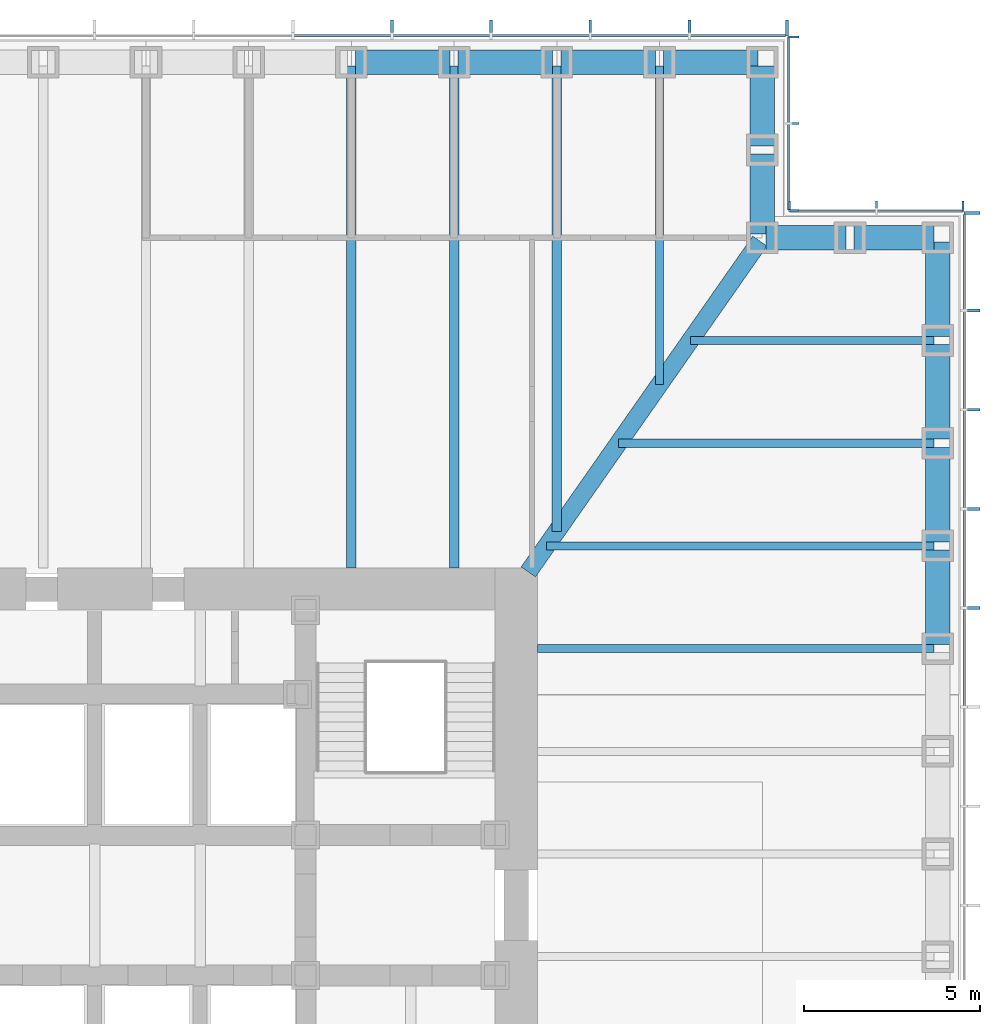
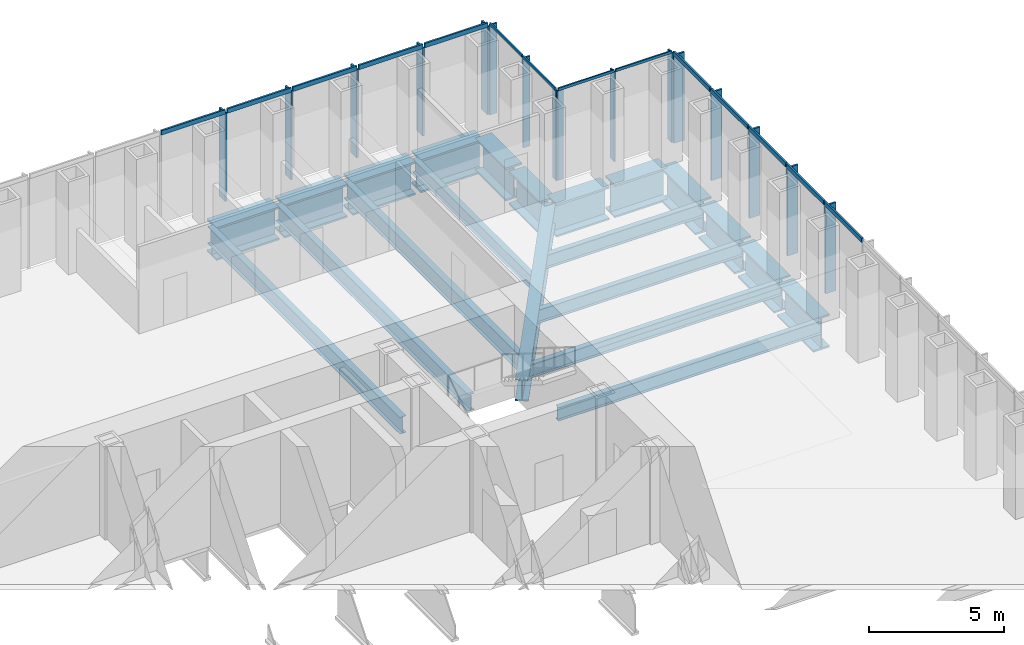
# One storey, part 6 of 17: 30 members, 21 beams, 4 elements without a shape of their own.
"""IFC4 building model written with IfcOpenShell, lengths in metres."""

import ifcopenshell
import ifcopenshell.guid

model = None  # the IFC model being written
_history = None  # IfcOwnerHistory: only IFC2X3 demands one
_inside = {}  # id of a spatial element -> (the spatial element, [elements in it])
_under = {}  # id of a project, library or spatial element -> (it, [spatial elements below it])
_declared = {}  # id of a project -> (the project, [libraries it declares])
_typed = {}  # id of a type object -> (the type object, [elements of that type])
_made_of = {}  # id of a material, layer set ... -> (it, [elements and type objects made of it])


def new_model(schema):
    """Start an empty IFC model of exactly this schema.

    Asked for "IFC4X3", IfcOpenShell would pick the latest addendum, in which some entities
    have other attributes; the version numbers below select the first issue.
    IFC2X3 requires an IfcOwnerHistory on every rooted entity: one is made here for all.
    """
    global model, _history
    if schema == "IFC4X3":
        model = ifcopenshell.file(schema_version=(4, 3, 0, 0))
    else:
        model = ifcopenshell.file(schema=schema)
    _inside.clear()
    _under.clear()
    _declared.clear()
    _typed.clear()
    _made_of.clear()
    _history = None
    if model.schema == "IFC2X3":
        org = make("IfcOrganization", Name="unknown")
        user = make(
            "IfcPersonAndOrganization",
            ThePerson=make("IfcPerson", FamilyName="unknown"),
            TheOrganization=org,
        )
        app = make(
            "IfcApplication",
            ApplicationDeveloper=org,
            Version="unknown",
            ApplicationFullName="unknown",
            ApplicationIdentifier="unknown",
        )
        _history = make(
            "IfcOwnerHistory",
            OwningUser=user,
            OwningApplication=app,
            ChangeAction="ADDED",
            CreationDate=0,
        )
    return model


def make(cls, **values):
    """One entity of the class cls with the attributes given. An attribute that is None is left unset."""
    return model.create_entity(
        cls, **{name: value for name, value in values.items() if value is not None}
    )


def rooted(cls, **values):
    """An entity with a GlobalId (a new one), such as an element, a storey or a relation."""
    return make(cls, GlobalId=ifcopenshell.guid.new(), OwnerHistory=_history, **values)


def si_unit(unit_type, name, prefix=None):
    """IfcSIUnit, for example si_unit("LENGTHUNIT", "METRE", prefix="MILLI")."""
    return make("IfcSIUnit", UnitType=unit_type, Prefix=prefix, Name=name)


def assignment(units):
    """IfcUnitAssignment: the units of a project."""
    return None if units is None else make("IfcUnitAssignment", Units=units)


def point(xyz):
    """IfcCartesianPoint."""
    return None if xyz is None else make("IfcCartesianPoint", Coordinates=xyz)


def direction(xyz):
    """IfcDirection."""
    return None if xyz is None else make("IfcDirection", DirectionRatios=xyz)


def frame(location, z_axis=None, x_axis=None):
    """IfcAxis2Placement3D, a coordinate frame: its origin and axes. An axis left out is left unset."""
    return make(
        "IfcAxis2Placement3D",
        Location=point(location),
        Axis=direction(z_axis),
        RefDirection=direction(x_axis),
    )


def frame_2d(location, x_axis=None):
    """IfcAxis2Placement2D, a coordinate frame in the plane: its origin and x axis."""
    return make(
        "IfcAxis2Placement2D", Location=point(location), RefDirection=direction(x_axis)
    )


def origin():
    """The frame at (0, 0, 0) with its axes left unset."""
    return frame((0.0, 0.0, 0.0))


def origin_2d():
    """The frame at (0, 0) in the plane with its x axis left unset."""
    return frame_2d((0.0, 0.0))


def place(relative_to, where):
    """IfcLocalPlacement: puts the frame where relative to a parent placement (None: the world)."""
    return make(
        "IfcLocalPlacement", PlacementRelTo=relative_to, RelativePlacement=where
    )


def context(
    kind, dimensions, precision=None, world=None, true_north=None, identifier=None
):
    """IfcGeometricRepresentationContext, for example the 3D "Model" context."""
    return make(
        "IfcGeometricRepresentationContext",
        ContextIdentifier=identifier,
        ContextType=kind,
        CoordinateSpaceDimension=dimensions,
        Precision=precision,
        WorldCoordinateSystem=world,
        TrueNorth=true_north,
    )


def subcontext(parent, identifier, kind, view, scale=None):
    """IfcGeometricRepresentationSubContext, for example "Body" below "Model"."""
    return make(
        "IfcGeometricRepresentationSubContext",
        ContextIdentifier=identifier,
        ContextType=kind,
        ParentContext=parent,
        TargetScale=scale,
        TargetView=view,
    )


def project(units=None, contexts=None):
    """IfcProject with its units and contexts."""
    return rooted(
        "IfcProject",
        Name="project",
        RepresentationContexts=contexts,
        UnitsInContext=assignment(units),
    )


def spatial(cls, under=None, at=None, **own):
    """A site, building, storey or space (cls), placed at a placement, below another one or the project."""
    s = rooted(cls, ObjectPlacement=at, **own)
    if under is not None:
        _under.setdefault(under.id(), (under, []))[1].append(s)
    return s


def profile(cls, at=None, kind="AREA", **sizes):
    """A parametric profile (cls). Its sizes go by their IFC names, for example OverallWidth=200.0."""
    return make(cls, ProfileType=kind, Position=at, **sizes)


def rectangle(**sizes):
    """IfcRectangleProfileDef."""
    return profile("IfcRectangleProfileDef", **sizes)


def i_section(**sizes):
    """IfcIShapeProfileDef."""
    return profile("IfcIShapeProfileDef", **sizes)


def extrude(swept, where, along, depth):
    """IfcExtrudedAreaSolid: the profile swept, set in the frame where, extruded along a direction by depth."""
    return make(
        "IfcExtrudedAreaSolid",
        SweptArea=swept,
        Position=where,
        ExtrudedDirection=direction(along),
        Depth=depth,
    )


def shape(context_of_items, identifier, shape_type, items):
    """IfcShapeRepresentation: the items that make up one representation, for example the "Body"."""
    return make(
        "IfcShapeRepresentation",
        ContextOfItems=context_of_items,
        RepresentationIdentifier=identifier,
        RepresentationType=shape_type,
        Items=items,
    )


def material(Name=None, Category=None):
    """IfcMaterial."""
    return make("IfcMaterial", Name=Name, Category=Category)


def material_profile(
    of_material, cross_section, Name=None, Category=None, Priority=None
):
    """IfcMaterialProfile: a cross section and its material."""
    return make(
        "IfcMaterialProfile",
        Name=Name,
        Material=of_material,
        Profile=cross_section,
        Priority=Priority,
        Category=Category,
    )


def profile_set(profiles, Name=None, composite=None):
    """IfcMaterialProfileSet."""
    return make(
        "IfcMaterialProfileSet",
        Name=Name,
        MaterialProfiles=profiles,
        CompositeProfile=composite,
    )


def made_of(thing, what):
    """Note that an element or type object is made of a material, layer set ...; save() writes the relation."""
    if what is not None:
        _made_of.setdefault(what.id(), (what, []))[1].append(thing)
    return thing


def type_object(cls, material=None, **own):
    """A type object (cls), such as IfcWallType, which elements share."""
    return made_of(rooted(cls, **own), material)


def element(
    cls,
    number,
    at=None,
    inside=None,
    cuts=None,
    type_object=None,
    material=None,
    context=None,
    identifier="Body",
    shape_type=None,
    held_by="IfcProductDefinitionShape",
    body=None,
    shapes=None,
    **own,
):
    """One element of the class cls, such as IfcWall. Its Tag is "e" and its number.

    at: its placement. inside: the storey or other place that contains it. cuts: it is an
    opening in that element (IfcRelVoidsElement). A single representation is given by context,
    identifier, shape_type and body (its items); several are given by shapes. held_by: the class
    of the entity that holds the representations. save() writes the other relations.
    """
    e = rooted(cls, Tag="e%d" % number, ObjectPlacement=at, **own)
    if body is not None:
        shapes = [shape(context, identifier, shape_type, body)]
    if shapes is not None:
        e.Representation = make(held_by, Representations=shapes)
    if inside is not None:
        _inside.setdefault(inside.id(), (inside, []))[1].append(e)
    if cuts is not None:
        rooted(
            "IfcRelVoidsElement", RelatingBuildingElement=cuts, RelatedOpeningElement=e
        )
    if type_object is not None:
        _typed.setdefault(type_object.id(), (type_object, []))[1].append(e)
    return made_of(e, material)


def aggregate(whole, parts):
    """IfcRelAggregates: a whole, such as a stair, and the parts it consists of."""
    return rooted("IfcRelAggregates", RelatingObject=whole, RelatedObjects=parts)


def save(model, path):
    """Write the relations noted so far, then the file.

    IfcRelAggregates (storeys below a building ...), IfcRelContainedInSpatialStructure (elements
    in a storey), IfcRelDefinesByType, IfcRelAssociatesMaterial and IfcRelDeclares: one each for
    every whole, place, type object, material and project.
    """
    for whole, parts in _under.values():
        aggregate(whole, parts)
    for where, things in _inside.values():
        rooted(
            "IfcRelContainedInSpatialStructure",
            RelatedElements=things,
            RelatingStructure=where,
        )
    for kind, things in _typed.values():
        rooted("IfcRelDefinesByType", RelatedObjects=things, RelatingType=kind)
    for what, things in _made_of.values():
        rooted("IfcRelAssociatesMaterial", RelatedObjects=things, RelatingMaterial=what)
    for by, libraries in _declared.values():
        rooted("IfcRelDeclares", RelatingContext=by, RelatedDefinitions=libraries)
    model.write(path)


model = new_model("IFC4")

# Units and contexts
model_context = context("Model", 3, precision=1e-05, world=origin(), true_north=direction((0.0, 1.0)))
body_context = subcontext(model_context, "Body", "Model", "MODEL_VIEW")
ifc_project = project(units=[si_unit("LENGTHUNIT", "METRE"), si_unit("AREAUNIT", "SQUARE_METRE"), si_unit("VOLUMEUNIT", "CUBIC_METRE"), si_unit("PLANEANGLEUNIT", "RADIAN"), si_unit("MASSUNIT", "GRAM", prefix="KILO")], contexts=[model_context])

# Site, building, storey
site_placement = place(None, origin())
site = spatial("IfcSite", under=ifc_project, at=site_placement, CompositionType="ELEMENT")
building_placement = place(site_placement, origin())
building = spatial("IfcBuilding", under=site, at=building_placement, Name="Daluyong Arena Tower", CompositionType="ELEMENT")
storey_placement = place(building_placement, frame((0.0, 0.0, 97.89990234375)))
storey = spatial("IfcBuildingStorey", under=building, at=storey_placement, Name="L21", CompositionType="ELEMENT", Elevation=97.89990234375)

# Curtain wall, members
ifc_material_1 = material(Name="Bronze anodised aluminium and glass", Category="aluminium")
curtain_wall_type_1 = type_object("IfcCurtainWallType", Name="Curtain wall CW1", PredefinedType="USERDEFINED", material=ifc_material_1)
curtain_wall_1_placement = place(storey_placement, origin())
curtain_wall_1 = element("IfcCurtainWall", 1, at=curtain_wall_1_placement, inside=storey, type_object=curtain_wall_type_1, Name="curtain wall L21 E", ObjectType="UNITISED CURTAIN WALL", PredefinedType="USERDEFINED")
ifc_material_2 = material(Name="Bronze anodised aluminium fin", Category="aluminium")
ifc_material_profile_1 = material_profile(ifc_material_2, rectangle(XDim=0.449951171875, YDim=0.080078125, at=origin_2d()))
ifc_profile_set_1 = profile_set([ifc_material_profile_1], Name="Bronze anodised aluminium fin")
member_type_1 = type_object("IfcMemberType", Name="CW1 bronze fin 450x80", PredefinedType="MULLION", material=ifc_profile_set_1)
member_1_placement = place(storey_placement, frame((80.97509765625, 88.46435546875, 0.0), z_axis=(0.0, 0.0, 1.0), x_axis=(-1.0, 0.0, 0.0)))
member_1 = element("IfcMember", 2, at=member_1_placement, type_object=member_type_1, Name="curtain wall L21 E fin 11", PredefinedType="MULLION", context=body_context, shape_type="SweptSolid", body=[
    extrude(rectangle(XDim=0.449951171875, YDim=0.080078125, at=origin_2d()), origin(), (0.0, 0.0, 1.0), 4.0),
])
member_2_placement = place(storey_placement, frame((80.97509765625, 91.28564453125, 0.0), z_axis=(0.0, 0.0, 1.0), x_axis=(-1.0, 0.0, 0.0)))
member_2 = element("IfcMember", 3, at=member_2_placement, type_object=member_type_1, Name="curtain wall L21 E fin 12", PredefinedType="MULLION", context=body_context, shape_type="SweptSolid", body=[
    extrude(rectangle(XDim=0.449951171875, YDim=0.080078125, at=origin_2d()), origin(), (0.0, 0.0, 1.0), 4.0),
])
member_3_placement = place(storey_placement, frame((80.97509765625, 94.107177734375, 0.0), z_axis=(0.0, 0.0, 1.0), x_axis=(-1.0, 0.0, 0.0)))
member_3 = element("IfcMember", 4, at=member_3_placement, type_object=member_type_1, Name="curtain wall L21 E fin 13", PredefinedType="MULLION", context=body_context, shape_type="SweptSolid", body=[
    extrude(rectangle(XDim=0.449951171875, YDim=0.080078125, at=origin_2d()), origin(), (0.0, 0.0, 1.0), 4.0),
])
member_4_placement = place(storey_placement, frame((80.97509765625, 96.928466796875, 0.0), z_axis=(0.0, 0.0, 1.0), x_axis=(-1.0, 0.0, 0.0)))
member_4 = element("IfcMember", 5, at=member_4_placement, type_object=member_type_1, Name="curtain wall L21 E fin 14", PredefinedType="MULLION", context=body_context, shape_type="SweptSolid", body=[
    extrude(rectangle(XDim=0.449951171875, YDim=0.080078125, at=origin_2d()), origin(), (0.0, 0.0, 1.0), 4.0),
])
member_5_placement = place(storey_placement, frame((80.97509765625, 99.7099609375, 0.0), z_axis=(0.0, 0.0, 1.0), x_axis=(-1.0, 0.0, 0.0)))
member_5 = element("IfcMember", 6, at=member_5_placement, type_object=member_type_1, Name="curtain wall L21 E fin 15", PredefinedType="MULLION", context=body_context, shape_type="SweptSolid", body=[
    extrude(rectangle(XDim=0.449951171875, YDim=0.080078125, at=origin_2d()), origin(), (0.0, 0.0, 1.0), 4.0),
])

curtain_wall_2_placement = place(storey_placement, origin())
curtain_wall_2 = element("IfcCurtainWall", 7, at=curtain_wall_2_placement, inside=storey, type_object=curtain_wall_type_1, Name="curtain wall L21 N", ObjectType="UNITISED CURTAIN WALL", PredefinedType="USERDEFINED")
member_6_placement = place(storey_placement, frame((75.7099609375, 104.97509765625, 0.0), z_axis=(0.0, 0.0, 1.0), x_axis=(0.0, -1.0, 0.0)))
member_6 = element("IfcMember", 8, at=member_6_placement, type_object=member_type_1, Name="curtain wall L21 N fin 1", PredefinedType="MULLION", context=body_context, shape_type="SweptSolid", body=[
    extrude(rectangle(XDim=0.449951171875, YDim=0.080078125, at=origin_2d()), origin(), (0.0, 0.0, 1.0), 4.0),
])
member_7_placement = place(storey_placement, frame((72.928466796875, 104.97509765625, 0.0), z_axis=(0.0, 0.0, 1.0), x_axis=(0.0, -1.0, 0.0)))
member_7 = element("IfcMember", 9, at=member_7_placement, type_object=member_type_1, Name="curtain wall L21 N fin 2", PredefinedType="MULLION", context=body_context, shape_type="SweptSolid", body=[
    extrude(rectangle(XDim=0.449951171875, YDim=0.080078125, at=origin_2d()), origin(), (0.0, 0.0, 1.0), 4.0),
])
member_8_placement = place(storey_placement, frame((70.107177734375, 104.97509765625, 0.0), z_axis=(0.0, 0.0, 1.0), x_axis=(0.0, -1.0, 0.0)))
member_8 = element("IfcMember", 10, at=member_8_placement, type_object=member_type_1, Name="curtain wall L21 N fin 3", PredefinedType="MULLION", context=body_context, shape_type="SweptSolid", body=[
    extrude(rectangle(XDim=0.449951171875, YDim=0.080078125, at=origin_2d()), origin(), (0.0, 0.0, 1.0), 4.0),
])
member_9_placement = place(storey_placement, frame((67.28564453125, 104.97509765625, 0.0), z_axis=(0.0, 0.0, 1.0), x_axis=(0.0, -1.0, 0.0)))
member_9 = element("IfcMember", 11, at=member_9_placement, type_object=member_type_1, Name="curtain wall L21 N fin 4", PredefinedType="MULLION", context=body_context, shape_type="SweptSolid", body=[
    extrude(rectangle(XDim=0.449951171875, YDim=0.080078125, at=origin_2d()), origin(), (0.0, 0.0, 1.0), 4.0),
])
member_10_placement = place(storey_placement, frame((64.46435546875, 104.97509765625, 0.0), z_axis=(0.0, 0.0, 1.0), x_axis=(0.0, -1.0, 0.0)))
member_10 = element("IfcMember", 12, at=member_10_placement, type_object=member_type_1, Name="curtain wall L21 N fin 5", PredefinedType="MULLION", context=body_context, shape_type="SweptSolid", body=[
    extrude(rectangle(XDim=0.449951171875, YDim=0.080078125, at=origin_2d()), origin(), (0.0, 0.0, 1.0), 4.0),
])

# Member
ifc_material_3 = material(Name="Bronze anodised aluminium", Category="aluminium")
ifc_material_profile_2 = material_profile(ifc_material_3, rectangle(XDim=0.080078125, YDim=0.199951171875, at=origin_2d()))
ifc_profile_set_2 = profile_set([ifc_material_profile_2], Name="Bronze anodised aluminium")
member_type_2 = type_object("IfcMemberType", Name="CW1 stack transom 200x80", PredefinedType="USERDEFINED", material=ifc_profile_set_2)
member_11_placement = place(storey_placement, frame((80.75, 85.682861328125, 4.10009765625), z_axis=(0.0, 1.0, 0.0), x_axis=(-1.0, 0.0, 0.0)))
member_11 = element("IfcMember", 13, at=member_11_placement, type_object=member_type_2, Name="curtain wall L21 E transom 10", ObjectType="TRANSOM", PredefinedType="USERDEFINED", context=body_context, shape_type="SweptSolid", body=[
    extrude(rectangle(XDim=0.080078125, YDim=0.199951171875, at=origin_2d()), origin(), (0.0, 0.0, 1.0), 2.741455078125),
])

member_12_placement = place(storey_placement, frame((80.75, 88.50439453125, 4.10009765625), z_axis=(0.0, 1.0, 0.0), x_axis=(-1.0, 0.0, 0.0)))
member_12 = element("IfcMember", 14, at=member_12_placement, type_object=member_type_2, Name="curtain wall L21 E transom 11", ObjectType="TRANSOM", PredefinedType="USERDEFINED", context=body_context, shape_type="SweptSolid", body=[
    extrude(rectangle(XDim=0.080078125, YDim=0.199951171875, at=origin_2d()), origin(), (0.0, 0.0, 1.0), 2.7412109375),
])

member_13_placement = place(storey_placement, frame((80.75, 91.32568359375, 4.10009765625), z_axis=(0.0, 1.0, 0.0), x_axis=(-1.0, 0.0, 0.0)))
member_13 = element("IfcMember", 15, at=member_13_placement, type_object=member_type_2, Name="curtain wall L21 E transom 12", ObjectType="TRANSOM", PredefinedType="USERDEFINED", context=body_context, shape_type="SweptSolid", body=[
    extrude(rectangle(XDim=0.080078125, YDim=0.199951171875, at=origin_2d()), origin(), (0.0, 0.0, 1.0), 2.741455078125),
])

member_14_placement = place(storey_placement, frame((80.75, 94.147216796875, 4.10009765625), z_axis=(0.0, 1.0, 0.0), x_axis=(-1.0, 0.0, 0.0)))
member_14 = element("IfcMember", 16, at=member_14_placement, type_object=member_type_2, Name="curtain wall L21 E transom 13", ObjectType="TRANSOM", PredefinedType="USERDEFINED", context=body_context, shape_type="SweptSolid", body=[
    extrude(rectangle(XDim=0.080078125, YDim=0.199951171875, at=origin_2d()), origin(), (0.0, 0.0, 1.0), 2.741455078125),
])

member_15_placement = place(storey_placement, frame((80.75, 96.968505859375, 4.10009765625), z_axis=(0.0, 1.0, 0.0), x_axis=(-1.0, 0.0, 0.0)))
member_15 = element("IfcMember", 17, at=member_15_placement, type_object=member_type_2, Name="curtain wall L21 E transom 14", ObjectType="TRANSOM", PredefinedType="USERDEFINED", context=body_context, shape_type="SweptSolid", body=[
    extrude(rectangle(XDim=0.080078125, YDim=0.199951171875, at=origin_2d()), origin(), (0.0, 0.0, 1.0), 2.701416015625),
])

aggregate(curtain_wall_1, [member_1, member_2, member_3, member_4, member_5, member_11, member_12, member_13, member_14, member_15])

member_16_placement = place(storey_placement, frame((75.669921875, 104.75, 4.10009765625), z_axis=(-1.0, 0.0, 0.0), x_axis=(0.0, -1.0, 0.0)))
member_16 = element("IfcMember", 18, at=member_16_placement, type_object=member_type_2, Name="curtain wall L21 N transom 1", ObjectType="TRANSOM", PredefinedType="USERDEFINED", context=body_context, shape_type="SweptSolid", body=[
    extrude(rectangle(XDim=0.080078125, YDim=0.199951171875, at=origin_2d()), origin(), (0.0, 0.0, 1.0), 2.701416015625),
])

member_17_placement = place(storey_placement, frame((72.888671875, 104.75, 4.10009765625), z_axis=(-1.0, 0.0, 0.0), x_axis=(0.0, -1.0, 0.0)))
member_17 = element("IfcMember", 19, at=member_17_placement, type_object=member_type_2, Name="curtain wall L21 N transom 2", ObjectType="TRANSOM", PredefinedType="USERDEFINED", context=body_context, shape_type="SweptSolid", body=[
    extrude(rectangle(XDim=0.080078125, YDim=0.199951171875, at=origin_2d()), origin(), (0.0, 0.0, 1.0), 2.741455078125),
])

member_18_placement = place(storey_placement, frame((70.067138671875, 104.75, 4.10009765625), z_axis=(-1.0, 0.0, 0.0), x_axis=(0.0, -1.0, 0.0)))
member_18 = element("IfcMember", 20, at=member_18_placement, type_object=member_type_2, Name="curtain wall L21 N transom 3", ObjectType="TRANSOM", PredefinedType="USERDEFINED", context=body_context, shape_type="SweptSolid", body=[
    extrude(rectangle(XDim=0.080078125, YDim=0.199951171875, at=origin_2d()), origin(), (0.0, 0.0, 1.0), 2.741455078125),
])

member_19_placement = place(storey_placement, frame((67.24560546875, 104.75, 4.10009765625), z_axis=(-1.0, 0.0, 0.0), x_axis=(0.0, -1.0, 0.0)))
member_19 = element("IfcMember", 21, at=member_19_placement, type_object=member_type_2, Name="curtain wall L21 N transom 4", ObjectType="TRANSOM", PredefinedType="USERDEFINED", context=body_context, shape_type="SweptSolid", body=[
    extrude(rectangle(XDim=0.080078125, YDim=0.199951171875, at=origin_2d()), origin(), (0.0, 0.0, 1.0), 2.7412109375),
])

member_20_placement = place(storey_placement, frame((64.42431640625, 104.75, 4.10009765625), z_axis=(-1.0, 0.0, 0.0), x_axis=(0.0, -1.0, 0.0)))
member_20 = element("IfcMember", 22, at=member_20_placement, type_object=member_type_2, Name="curtain wall L21 N transom 5", ObjectType="TRANSOM", PredefinedType="USERDEFINED", context=body_context, shape_type="SweptSolid", body=[
    extrude(rectangle(XDim=0.080078125, YDim=0.199951171875, at=origin_2d()), origin(), (0.0, 0.0, 1.0), 2.741455078125),
])

aggregate(curtain_wall_2, [member_6, member_7, member_8, member_9, member_10, member_16, member_17, member_18, member_19, member_20])

# Curtain wall, members
ifc_material_4 = material(Name="Bronze anodised aluminium and glass", Category="aluminium")
curtain_wall_type_2 = type_object("IfcCurtainWallType", Name="Curtain wall CW7", PredefinedType="USERDEFINED", material=ifc_material_4)
curtain_wall_3_placement = place(storey_placement, origin())
curtain_wall_3 = element("IfcCurtainWall", 23, at=curtain_wall_3_placement, inside=storey, type_object=curtain_wall_type_2, Name="curtain wall L21 NE-N", ObjectType="UNITISED CURTAIN WALL", PredefinedType="USERDEFINED")
ifc_material_5 = material(Name="Bronze anodised aluminium fin", Category="aluminium")
ifc_material_profile_3 = material_profile(ifc_material_5, rectangle(XDim=0.300048828125, YDim=0.06005859375, at=origin_2d()))
ifc_profile_set_3 = profile_set([ifc_material_profile_3], Name="Bronze anodised aluminium fin")
member_type_3 = type_object("IfcMemberType", Name="CW7 bronze fin 300x60", PredefinedType="MULLION", material=ifc_profile_set_3)
member_21_placement = place(storey_placement, frame((80.719970703125, 99.89990234375, 0.0), z_axis=(0.0, 0.0, 1.0), x_axis=(0.0, -1.0, 0.0)))
member_21 = element("IfcMember", 24, at=member_21_placement, type_object=member_type_3, Name="curtain wall L21 NE-N fin 1", PredefinedType="MULLION", context=body_context, shape_type="SweptSolid", body=[
    extrude(rectangle(XDim=0.300048828125, YDim=0.06005859375, at=origin_2d()), origin(), (0.0, 0.0, 1.0), 4.080078125),
])
member_22_placement = place(storey_placement, frame((78.25, 99.89990234375, 0.0), z_axis=(0.0, 0.0, 1.0), x_axis=(0.0, -1.0, 0.0)))
member_22 = element("IfcMember", 25, at=member_22_placement, type_object=member_type_3, Name="curtain wall L21 NE-N fin 2", PredefinedType="MULLION", context=body_context, shape_type="SweptSolid", body=[
    extrude(rectangle(XDim=0.300048828125, YDim=0.06005859375, at=origin_2d()), origin(), (0.0, 0.0, 1.0), 4.080078125),
])
member_23_placement = place(storey_placement, frame((75.780029296875, 99.89990234375, 0.0), z_axis=(0.0, 0.0, 1.0), x_axis=(0.0, -1.0, 0.0)))
member_23 = element("IfcMember", 26, at=member_23_placement, type_object=member_type_3, Name="curtain wall L21 NE-N fin 3", PredefinedType="MULLION", context=body_context, shape_type="SweptSolid", body=[
    extrude(rectangle(XDim=0.300048828125, YDim=0.06005859375, at=origin_2d()), origin(), (0.0, 0.0, 1.0), 4.080078125),
])

curtain_wall_4_placement = place(storey_placement, origin())
curtain_wall_4 = element("IfcCurtainWall", 27, at=curtain_wall_4_placement, inside=storey, type_object=curtain_wall_type_2, Name="curtain wall L21 NE-E", ObjectType="UNITISED CURTAIN WALL", PredefinedType="USERDEFINED")
member_24_placement = place(storey_placement, frame((75.89990234375, 99.780029296875, 0.0), z_axis=(0.0, 0.0, 1.0), x_axis=(-1.0, 0.0, 0.0)))
member_24 = element("IfcMember", 28, at=member_24_placement, type_object=member_type_3, Name="curtain wall L21 NE-E fin 1", PredefinedType="MULLION", context=body_context, shape_type="SweptSolid", body=[
    extrude(rectangle(XDim=0.300048828125, YDim=0.06005859375, at=origin_2d()), origin(), (0.0, 0.0, 1.0), 4.080078125),
])
member_25_placement = place(storey_placement, frame((75.89990234375, 102.25, 0.0), z_axis=(0.0, 0.0, 1.0), x_axis=(-1.0, 0.0, 0.0)))
member_25 = element("IfcMember", 29, at=member_25_placement, type_object=member_type_3, Name="curtain wall L21 NE-E fin 2", PredefinedType="MULLION", context=body_context, shape_type="SweptSolid", body=[
    extrude(rectangle(XDim=0.300048828125, YDim=0.06005859375, at=origin_2d()), origin(), (0.0, 0.0, 1.0), 4.080078125),
])
member_26_placement = place(storey_placement, frame((75.89990234375, 104.719970703125, 0.0), z_axis=(0.0, 0.0, 1.0), x_axis=(-1.0, 0.0, 0.0)))
member_26 = element("IfcMember", 30, at=member_26_placement, type_object=member_type_3, Name="curtain wall L21 NE-E fin 3", PredefinedType="MULLION", context=body_context, shape_type="SweptSolid", body=[
    extrude(rectangle(XDim=0.300048828125, YDim=0.06005859375, at=origin_2d()), origin(), (0.0, 0.0, 1.0), 4.080078125),
])

# Member
ifc_material_6 = material(Name="Bronze anodised aluminium", Category="aluminium")
ifc_material_profile_4 = material_profile(ifc_material_6, rectangle(XDim=0.06005859375, YDim=0.1201171875, at=origin_2d()))
ifc_profile_set_4 = profile_set([ifc_material_profile_4], Name="Bronze anodised aluminium")
member_type_4 = type_object("IfcMemberType", Name="CW7 stack transom 120x60", PredefinedType="USERDEFINED", material=ifc_profile_set_4)
member_27_placement = place(storey_placement, frame((80.68994140625, 99.75, 4.14013671875), z_axis=(-1.0, 0.0, 0.0), x_axis=(0.0, -1.0, 0.0)))
member_27 = element("IfcMember", 31, at=member_27_placement, type_object=member_type_4, Name="curtain wall L21 NE-N transom 1", ObjectType="TRANSOM", PredefinedType="USERDEFINED", context=body_context, shape_type="SweptSolid", body=[
    extrude(rectangle(XDim=0.06005859375, YDim=0.1201171875, at=origin_2d()), origin(), (0.0, 0.0, 1.0), 2.409912109375),
])

member_28_placement = place(storey_placement, frame((78.219970703125, 99.75, 4.14013671875), z_axis=(-1.0, 0.0, 0.0), x_axis=(0.0, -1.0, 0.0)))
member_28 = element("IfcMember", 32, at=member_28_placement, type_object=member_type_4, Name="curtain wall L21 NE-N transom 2", ObjectType="TRANSOM", PredefinedType="USERDEFINED", context=body_context, shape_type="SweptSolid", body=[
    extrude(rectangle(XDim=0.06005859375, YDim=0.1201171875, at=origin_2d()), origin(), (0.0, 0.0, 1.0), 2.409912109375),
])

aggregate(curtain_wall_3, [member_21, member_22, member_23, member_27, member_28])

member_29_placement = place(storey_placement, frame((75.75, 99.81005859375, 4.14013671875), z_axis=(0.0, 1.0, 0.0), x_axis=(-1.0, 0.0, 0.0)))
member_29 = element("IfcMember", 33, at=member_29_placement, type_object=member_type_4, Name="curtain wall L21 NE-E transom 1", ObjectType="TRANSOM", PredefinedType="USERDEFINED", context=body_context, shape_type="SweptSolid", body=[
    extrude(rectangle(XDim=0.06005859375, YDim=0.1201171875, at=origin_2d()), origin(), (0.0, 0.0, 1.0), 2.409912109375),
])

member_30_placement = place(storey_placement, frame((75.75, 102.280029296875, 4.14013671875), z_axis=(0.0, 1.0, 0.0), x_axis=(-1.0, 0.0, 0.0)))
member_30 = element("IfcMember", 34, at=member_30_placement, type_object=member_type_4, Name="curtain wall L21 NE-E transom 2", ObjectType="TRANSOM", PredefinedType="USERDEFINED", context=body_context, shape_type="SweptSolid", body=[
    extrude(rectangle(XDim=0.06005859375, YDim=0.1201171875, at=origin_2d()), origin(), (0.0, 0.0, 1.0), 2.409912109375),
])

aggregate(curtain_wall_4, [member_24, member_25, member_26, member_29, member_30])

# Beams
ifc_material_7 = material(Name="Steel ASTM A572 Grade 50", Category="steel")
ifc_material_profile_5 = material_profile(ifc_material_7, i_section(OverallWidth=0.5, OverallDepth=1.0, WebThickness=0.03, FlangeThickness=0.06, at=origin_2d()))
ifc_profile_set_5 = profile_set([ifc_material_profile_5], Name="Steel ASTM A572 Grade 50")
beam_type_1 = type_object("IfcBeamType", Name="Corner girder TB1000X500", PredefinedType="BEAM", material=ifc_profile_set_5)
beam_1_placement = place(storey_placement, frame((74.93408203125, 98.90576171875, -0.659912109375), z_axis=(-0.573466621875, -0.819228926244, 0.0), x_axis=(0.819228926244, -0.573466621875, 0.0)))
element("IfcBeam", 35, at=beam_1_placement, inside=storey, type_object=beam_type_1, Name="corner girder DG2", PredefinedType="BEAM", context=body_context, shape_type="SweptSolid", body=[
    extrude(i_section(OverallWidth=0.5, OverallDepth=1.0, WebThickness=0.03, FlangeThickness=0.06, at=origin_2d()), origin(), (0.0, 0.0, 1.0), 11.49169921875),
])
ifc_material_8 = material(Name="Steel ASTM A992 Grade 50", Category="steel")
ifc_material_profile_6 = material_profile(ifc_material_8, i_section(OverallWidth=0.22900390625, OverallDepth=0.612060546875, WebThickness=0.011962890625, FlangeThickness=0.01953125, at=origin_2d()))
ifc_profile_set_6 = profile_set([ifc_material_profile_6], Name="Steel ASTM A992 Grade 50")
beam_type_2 = type_object("IfcBeamType", Name="Floor beam W24X84", PredefinedType="BEAM", material=ifc_profile_set_6)
beam_2_placement = place(storey_placement, frame((79.885009765625, 87.3076171875, -0.466064453125), z_axis=(-1.0, 0.0, 0.0), x_axis=(0.0, -1.0, 0.0)))
element("IfcBeam", 36, at=beam_2_placement, inside=storey, type_object=beam_type_2, Name="floor beam FB3", PredefinedType="BEAM", context=body_context, shape_type="SweptSolid", body=[
    extrude(i_section(OverallWidth=0.22900390625, OverallDepth=0.612060546875, WebThickness=0.011962890625, FlangeThickness=0.01953125, at=origin_2d()), origin(), (0.0, 0.0, 1.0), 11.284912109375),
])
beam_3_placement = place(storey_placement, frame((79.885009765625, 90.230712890625, -0.466064453125), z_axis=(-1.0, 0.0, 0.0), x_axis=(0.0, -1.0, 0.0)))
element("IfcBeam", 37, at=beam_3_placement, inside=storey, type_object=beam_type_2, Name="floor beam FB3", PredefinedType="BEAM", context=body_context, shape_type="SweptSolid", body=[
    extrude(i_section(OverallWidth=0.22900390625, OverallDepth=0.612060546875, WebThickness=0.011962890625, FlangeThickness=0.01953125, at=origin_2d()), origin(), (0.0, 0.0, 1.0), 11.0234375),
])
beam_4_placement = place(storey_placement, frame((79.885009765625, 93.15380859375, -0.466064453125), z_axis=(-1.0, 0.0, 0.0), x_axis=(0.0, -1.0, 0.0)))
element("IfcBeam", 38, at=beam_4_placement, inside=storey, type_object=beam_type_2, Name="floor beam FB3", PredefinedType="BEAM", context=body_context, shape_type="SweptSolid", body=[
    extrude(i_section(OverallWidth=0.22900390625, OverallDepth=0.612060546875, WebThickness=0.011962890625, FlangeThickness=0.01953125, at=origin_2d()), origin(), (0.0, 0.0, 1.0), 8.977294921875),
])
beam_5_placement = place(storey_placement, frame((79.885009765625, 96.076904296875, -0.466064453125), z_axis=(-1.0, 0.0, 0.0), x_axis=(0.0, -1.0, 0.0)))
element("IfcBeam", 39, at=beam_5_placement, inside=storey, type_object=beam_type_2, Name="floor beam FB3", PredefinedType="BEAM", context=body_context, shape_type="SweptSolid", body=[
    extrude(i_section(OverallWidth=0.22900390625, OverallDepth=0.612060546875, WebThickness=0.011962890625, FlangeThickness=0.01953125, at=origin_2d()), origin(), (0.0, 0.0, 1.0), 6.93115234375),
])
beam_6_placement = place(storey_placement, frame((72.076904296875, 103.885009765625, -0.466064453125), z_axis=(0.0, -1.0, 0.0), x_axis=(1.0, 0.0, 0.0)))
element("IfcBeam", 40, at=beam_6_placement, inside=storey, type_object=beam_type_2, Name="floor beam FB3", PredefinedType="BEAM", context=body_context, shape_type="SweptSolid", body=[
    extrude(i_section(OverallWidth=0.22900390625, OverallDepth=0.612060546875, WebThickness=0.011962890625, FlangeThickness=0.01953125, at=origin_2d()), origin(), (0.0, 0.0, 1.0), 9.060791015625),
])
ifc_material_9 = material(Name="Steel ASTM A992 Grade 50", Category="steel")
ifc_material_profile_7 = material_profile(ifc_material_9, i_section(OverallWidth=0.2666015625, OverallDepth=0.761962890625, WebThickness=0.014404296875, FlangeThickness=0.021484375, at=origin_2d()))
ifc_profile_set_7 = profile_set([ifc_material_profile_7], Name="Steel ASTM A992 Grade 50")
beam_type_3 = type_object("IfcBeamType", Name="Floor beam W30X116", PredefinedType="BEAM", material=ifc_profile_set_7)
beam_7_placement = place(storey_placement, frame((69.15380859375, 103.885009765625, -0.541015625), z_axis=(0.0, -1.0, 0.0), x_axis=(1.0, 0.0, 0.0)))
element("IfcBeam", 41, at=beam_7_placement, inside=storey, type_object=beam_type_3, Name="floor beam FB4", PredefinedType="BEAM", context=body_context, shape_type="SweptSolid", body=[
    extrude(i_section(OverallWidth=0.2666015625, OverallDepth=0.761962890625, WebThickness=0.014404296875, FlangeThickness=0.021484375, at=origin_2d()), origin(), (0.0, 0.0, 1.0), 13.236572265625),
])
for number, where, z_axis, x_axis, name in (
    (42, (66.230712890625, 103.885009765625, -0.541015625), (0.0, -1.0, 0.0), (1.0, 0.0, 0.0), "floor beam FB4"),
    (43, (63.3076171875, 103.885009765625, -0.541015625), (0.0, -1.0, 0.0), (1.0, 0.0, 0.0), "floor beam FB4"),
):
    element("IfcBeam", number, at=place(storey_placement, frame(where, z_axis=z_axis, x_axis=x_axis)), inside=storey, type_object=beam_type_3, Name=name, PredefinedType="BEAM", context=body_context, shape_type="SweptSolid", body=[
        extrude(i_section(OverallWidth=0.2666015625, OverallDepth=0.761962890625, WebThickness=0.014404296875, FlangeThickness=0.021484375, at=origin_2d()), origin(), (0.0, 0.0, 1.0), 14.284912109375),
    ])
ifc_material_10 = material(Name="Steel ASTM A572 Grade 50", Category="steel")
ifc_material_profile_8 = material_profile(ifc_material_10, i_section(OverallWidth=0.699951171875, OverallDepth=1.5, WebThickness=0.04, FlangeThickness=0.08, at=origin_2d()))
ifc_profile_set_8 = profile_set([ifc_material_profile_8], Name="Steel ASTM A572 Grade 50")
beam_type_4 = type_object("IfcBeamType", Name="Spandrel Z1 PG1500X700", PredefinedType="SPANDREL", material=ifc_profile_set_8)
for number, where, z_axis, x_axis, name in (
    (44, (80.0, 87.422607421875, -0.909912109375), (0.0, 1.0, 0.0), (-1.0, 0.0, 0.0), "spandrel z1 SB4"),
    (45, (80.0, 90.345703125, -0.909912109375), (0.0, 1.0, 0.0), (-1.0, 0.0, 0.0), "spandrel z1 SB4"),
    (46, (80.0, 93.268798828125, -0.909912109375), (0.0, 1.0, 0.0), (-1.0, 0.0, 0.0), "spandrel z1 SB4"),
    (47, (80.0, 96.19189453125, -0.909912109375), (0.0, 1.0, 0.0), (-1.0, 0.0, 0.0), "spandrel z1 SB4"),
):
    element("IfcBeam", number, at=place(storey_placement, frame(where, z_axis=z_axis, x_axis=x_axis)), inside=storey, type_object=beam_type_4, Name=name, PredefinedType="SPANDREL", context=body_context, shape_type="SweptSolid", body=[
        extrude(i_section(OverallWidth=0.699951171875, OverallDepth=1.5, WebThickness=0.04, FlangeThickness=0.08, at=origin_2d()), origin(), (0.0, 0.0, 1.0), 2.693115234375),
    ])
for number, where, z_axis, x_axis, name in (
    (48, (79.885009765625, 99.0, -0.909912109375), (-1.0, 0.0, 0.0), (0.0, -1.0, 0.0), "spandrel z1 SB4"),
    (49, (77.385009765625, 99.0, -0.909912109375), (-1.0, 0.0, 0.0), (0.0, -1.0, 0.0), "spandrel z1 SB4"),
    (50, (75.0, 99.114990234375, -0.909912109375), (0.0, 1.0, 0.0), (-1.0, 0.0, 0.0), "spandrel z1 SB4"),
    (51, (75.0, 101.614990234375, -0.909912109375), (0.0, 1.0, 0.0), (-1.0, 0.0, 0.0), "spandrel z1 SB4"),
):
    element("IfcBeam", number, at=place(storey_placement, frame(where, z_axis=z_axis, x_axis=x_axis)), inside=storey, type_object=beam_type_4, Name=name, PredefinedType="SPANDREL", context=body_context, shape_type="SweptSolid", body=[
        extrude(i_section(OverallWidth=0.699951171875, OverallDepth=1.5, WebThickness=0.04, FlangeThickness=0.08, at=origin_2d()), origin(), (0.0, 0.0, 1.0), 2.27001953125),
    ])
for number, where, z_axis, x_axis, name in (
    (52, (74.885009765625, 104.0, -0.909912109375), (-1.0, 0.0, 0.0), (0.0, -1.0, 0.0), "spandrel z1 SB4"),
    (53, (71.9619140625, 104.0, -0.909912109375), (-1.0, 0.0, 0.0), (0.0, -1.0, 0.0), "spandrel z1 SB4"),
    (54, (69.038818359375, 104.0, -0.909912109375), (-1.0, 0.0, 0.0), (0.0, -1.0, 0.0), "spandrel z1 SB4"),
    (55, (66.11572265625, 104.0, -0.909912109375), (-1.0, 0.0, 0.0), (0.0, -1.0, 0.0), "spandrel z1 SB4"),
):
    element("IfcBeam", number, at=place(storey_placement, frame(where, z_axis=z_axis, x_axis=x_axis)), inside=storey, type_object=beam_type_4, Name=name, PredefinedType="SPANDREL", context=body_context, shape_type="SweptSolid", body=[
        extrude(i_section(OverallWidth=0.699951171875, OverallDepth=1.5, WebThickness=0.04, FlangeThickness=0.08, at=origin_2d()), origin(), (0.0, 0.0, 1.0), 2.693115234375),
    ])

save(model, "model.ifc")
